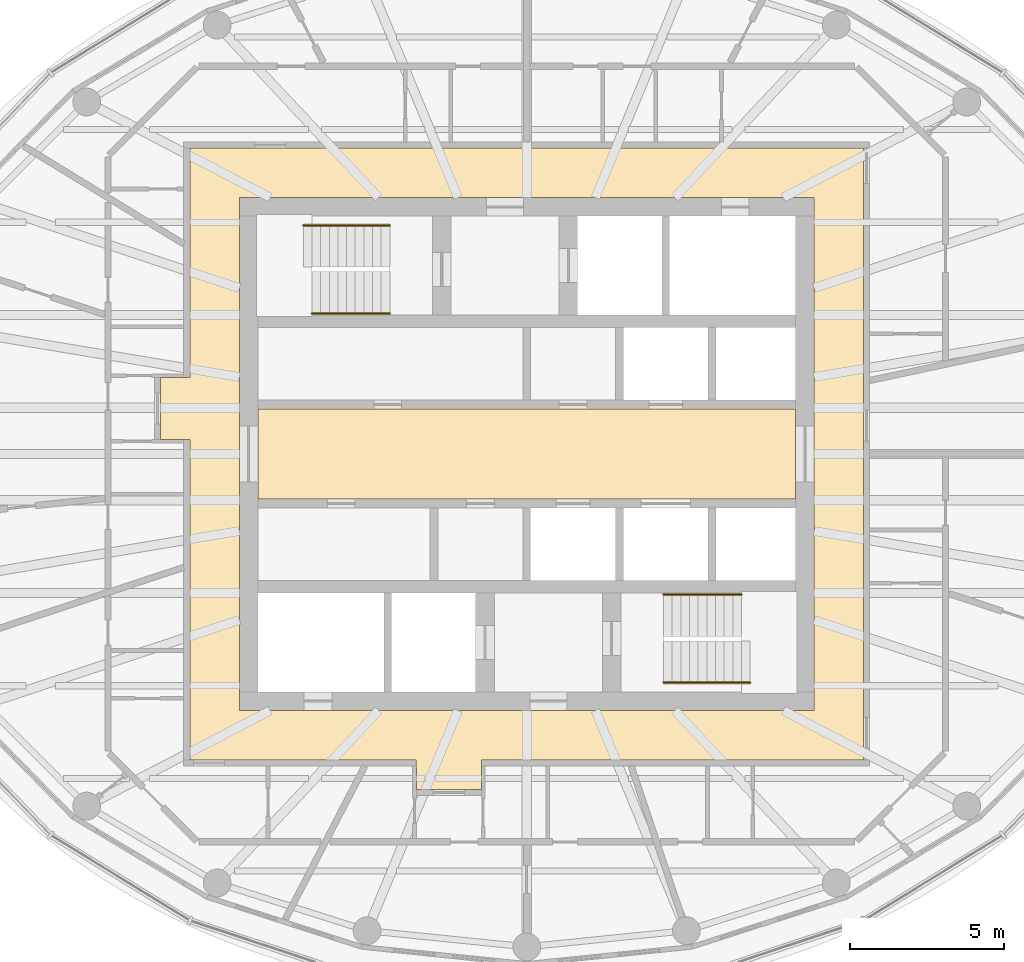
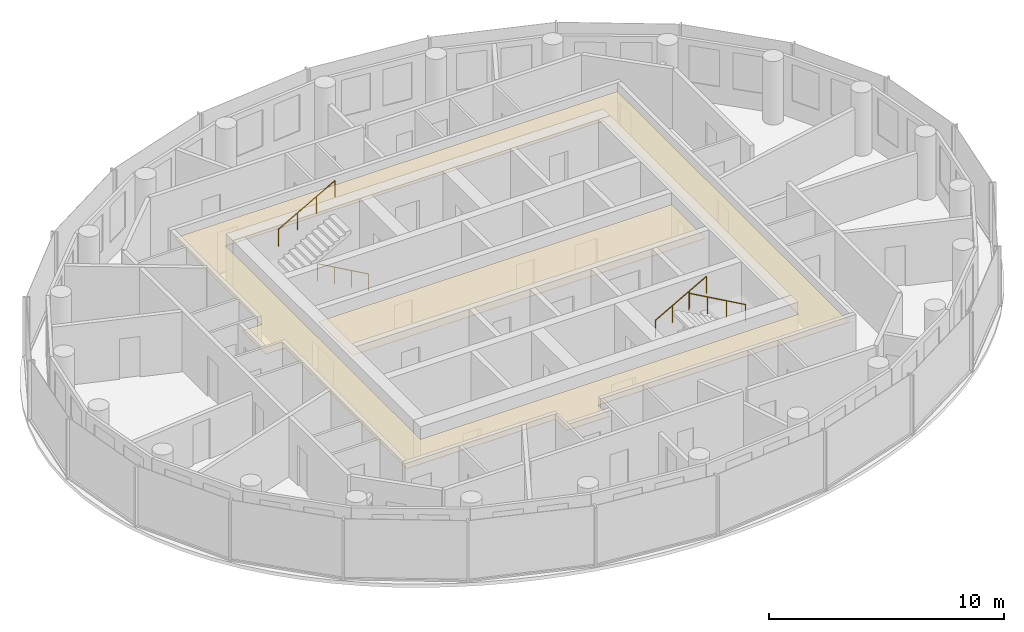
# One storey, part 11 of 11: 4 railings, 2 coverings.
"""IFC4 building model written with IfcOpenShell, lengths in metres."""

from ifc_helpers import new_model, si_unit, direction, frame, origin, origin_2d, place, context, subcontext, project, spatial, polyline, circle, outline, extrude, material, layer, layer_set, type_object, element, save


model = new_model("IFC4")

# Units and contexts
model_context = context("Model", 3, precision=1e-05, world=origin(), true_north=direction((0.0, 1.0)))
body_context = subcontext(model_context, "Body", "Model", "MODEL_VIEW")
ifc_project = project(units=[si_unit("LENGTHUNIT", "METRE"), si_unit("AREAUNIT", "SQUARE_METRE"), si_unit("VOLUMEUNIT", "CUBIC_METRE"), si_unit("PLANEANGLEUNIT", "RADIAN"), si_unit("MASSUNIT", "GRAM", prefix="KILO")], contexts=[model_context])

# Site, building, storey
site_placement = place(None, origin())
site = spatial("IfcSite", under=ifc_project, at=site_placement, CompositionType="ELEMENT")
building_placement = place(site_placement, origin())
building = spatial("IfcBuilding", under=site, at=building_placement, Name="Hankou Lantern Tower", CompositionType="ELEMENT")
storey_placement = place(building_placement, frame((0.0, 0.0, 202.800048828125)))
storey = spatial("IfcBuildingStorey", under=building, at=storey_placement, Name="L54", CompositionType="ELEMENT", Elevation=202.800048828125)

# Coverings
ifc_material_1 = material(Name="Black painted aluminium linear ceiling panels", Category="aluminium")
ifc_layer_1 = layer(ifc_material_1, 0.02490234375)
ifc_layer_set_1 = layer_set([ifc_layer_1], Name="Black painted aluminium linear ceiling panels")
covering_type_1 = type_object("IfcCoveringType", Name="CL1 CORRIDOR CEILING 25", PredefinedType="CEILING", material=ifc_layer_set_1)
covering_1_placement = place(storey_placement, frame((0.0, 0.0, 2.64501953125)))
element("IfcCovering", 1, at=covering_1_placement, inside=storey, type_object=covering_type_1, Name="Corridor ceiling L54", PredefinedType="CEILING", context=body_context, shape_type="SweptSolid", body=[
    extrude(outline(polyline([(-3.56884765625, -10.85009765625), (-1.468994140625, -10.85009765625), (-1.468994140625, -10.1201171875), (-1.458984375, -10.1201171875), (-1.458984375, -9.89794921875), (10.89794921875, -9.89794921875), (10.89794921875, 9.89794921875), (-10.89794921875, 9.89794921875), (-10.89794921875, 2.484375), (-11.1201171875, 2.484375), (-11.1201171875, 2.474365234375), (-11.85009765625, 2.474365234375), (-11.85009765625, 0.474365234375), (-11.1201171875, 0.474365234375), (-11.1201171875, 0.46435546875), (-10.89794921875, 0.46435546875), (-10.89794921875, -9.89794921875), (-3.578857421875, -9.89794921875), (-3.578857421875, -10.1201171875), (-3.56884765625, -10.1201171875), (-3.56884765625, -10.85009765625)]), holes=[polyline([(-9.300048828125, 8.300048828125), (9.300048828125, 8.300048828125), (9.300048828125, -8.300048828125), (-9.300048828125, -8.300048828125), (-9.300048828125, 8.300048828125)])]), origin(), (0.0, 0.0, 1.0), 0.02490234375),
])
ifc_material_2 = material(Name="Perforated black aluminium acoustic tray ceiling", Category="aluminium")
ifc_layer_2 = layer(ifc_material_2, 0.014892578125)
ifc_layer_set_2 = layer_set([ifc_layer_2], Name="Perforated black aluminium acoustic tray ceiling")
covering_type_2 = type_object("IfcCoveringType", Name="CL2 LIFT LOBBY CEILING 15", PredefinedType="CEILING", material=ifc_layer_set_2)
covering_2_placement = place(storey_placement, frame((0.0, 0.0, 2.655029296875)))
element("IfcCovering", 2, at=covering_2_placement, inside=storey, type_object=covering_type_2, Name="Lift lobby ceiling L54", PredefinedType="CEILING", context=body_context, shape_type="SweptSolid", body=[
    extrude(outline(polyline([(-8.699951171875, -1.449951171875), (8.699951171875, -1.449951171875), (8.699951171875, 1.449951171875), (-8.699951171875, 1.449951171875), (-8.699951171875, -1.449951171875)])), origin(), (0.0, 0.0, 1.0), 0.014892578125),
])

# Railings
ifc_material_3 = material(Name="Steel handrail", Category="steel")
railing_type = type_object("IfcRailingType", Name="HR1 STAIR HANDRAIL", PredefinedType="HANDRAIL", material=ifc_material_3)
railing_1_placement = place(storey_placement, frame((-4.429931640625, 4.550048828125, 0.89990234375)))
element("IfcRailing", 3, at=railing_1_placement, inside=storey, type_object=railing_type, Name="Handrail stair STA L54 flight 1", PredefinedType="HANDRAIL", context=body_context, shape_type="SweptSolid", body=[
    extrude(circle(Radius=0.02392578125, at=origin_2d()), frame((0.0, 0.0, 0.8759765625), z_axis=(-0.872048945198, 0.0, 0.489418672692), x_axis=(0.0, -1.0, 0.0)), (0.0, 0.0, 1.0), 2.8896484375),
    extrude(circle(Radius=0.02099609375, at=origin_2d()), origin(), (0.0, 0.0, 1.0), 0.851806640625),
    extrude(circle(Radius=0.02099609375, at=origin_2d()), frame((-0.840087890625, 0.0, 0.471435546875)), (0.0, 0.0, 1.0), 0.851806640625),
    extrude(circle(Radius=0.02099609375, at=origin_2d()), frame((-1.679931640625, 0.0, 0.94287109375)), (0.0, 0.0, 1.0), 0.851806640625),
    extrude(circle(Radius=0.02099609375, at=origin_2d()), frame((-2.52001953125, 0.0, 1.414306640625)), (0.0, 0.0, 1.0), 0.851806640625),
])
railing_2_placement = place(storey_placement, frame((-7.22998046875, 7.39990234375, 2.471435546875)))
element("IfcRailing", 4, at=railing_2_placement, inside=storey, type_object=railing_type, Name="Handrail stair STA L54 flight 2", PredefinedType="HANDRAIL", context=body_context, shape_type="SweptSolid", body=[
    extrude(circle(Radius=0.02392578125, at=origin_2d()), frame((0.0, 0.0, 0.8759765625), z_axis=(0.872072602893, 0.0, 0.489376516891), x_axis=(0.0, 1.0, 0.0)), (0.0, 0.0, 1.0), 3.210693359375),
    extrude(circle(Radius=0.02099609375, at=origin_2d()), origin(), (0.0, 0.0, 1.0), 0.851806640625),
    extrude(circle(Radius=0.02099609375, at=origin_2d()), frame((0.933349609375, 0.0, 0.523681640625)), (0.0, 0.0, 1.0), 0.851806640625),
    extrude(circle(Radius=0.02099609375, at=origin_2d()), frame((1.86669921875, 0.0, 1.047607421875)), (0.0, 0.0, 1.0), 0.851806640625),
    extrude(circle(Radius=0.02099609375, at=origin_2d()), frame((2.800048828125, 0.0, 1.5712890625)), (0.0, 0.0, 1.0), 0.851806640625),
])
railing_3_placement = place(storey_placement, frame((4.429931640625, -4.550048828125, 0.89990234375)))
element("IfcRailing", 5, at=railing_3_placement, inside=storey, type_object=railing_type, Name="Handrail stair STB L54 flight 1", PredefinedType="HANDRAIL", context=body_context, shape_type="SweptSolid", body=[
    extrude(circle(Radius=0.02392578125, at=origin_2d()), frame((0.0, 0.0, 0.8759765625), z_axis=(0.872048945198, 0.0, 0.489418672692), x_axis=(0.0, 1.0, 0.0)), (0.0, 0.0, 1.0), 2.8896484375),
    extrude(circle(Radius=0.02099609375, at=origin_2d()), origin(), (0.0, 0.0, 1.0), 0.851806640625),
    extrude(circle(Radius=0.02099609375, at=origin_2d()), frame((0.840087890625, 0.0, 0.471435546875)), (0.0, 0.0, 1.0), 0.851806640625),
    extrude(circle(Radius=0.02099609375, at=origin_2d()), frame((1.679931640625, 0.0, 0.94287109375)), (0.0, 0.0, 1.0), 0.851806640625),
    extrude(circle(Radius=0.02099609375, at=origin_2d()), frame((2.52001953125, 0.0, 1.414306640625)), (0.0, 0.0, 1.0), 0.851806640625),
])
railing_4_placement = place(storey_placement, frame((7.22998046875, -7.39990234375, 2.471435546875)))
element("IfcRailing", 6, at=railing_4_placement, inside=storey, type_object=railing_type, Name="Handrail stair STB L54 flight 2", PredefinedType="HANDRAIL", context=body_context, shape_type="SweptSolid", body=[
    extrude(circle(Radius=0.02392578125, at=origin_2d()), frame((0.0, 0.0, 0.8759765625), z_axis=(-0.872072602893, 0.0, 0.489376516891), x_axis=(0.0, -1.0, 0.0)), (0.0, 0.0, 1.0), 3.210693359375),
    extrude(circle(Radius=0.02099609375, at=origin_2d()), origin(), (0.0, 0.0, 1.0), 0.851806640625),
    extrude(circle(Radius=0.02099609375, at=origin_2d()), frame((-0.933349609375, 0.0, 0.523681640625)), (0.0, 0.0, 1.0), 0.851806640625),
    extrude(circle(Radius=0.02099609375, at=origin_2d()), frame((-1.86669921875, 0.0, 1.047607421875)), (0.0, 0.0, 1.0), 0.851806640625),
    extrude(circle(Radius=0.02099609375, at=origin_2d()), frame((-2.800048828125, 0.0, 1.5712890625)), (0.0, 0.0, 1.0), 0.851806640625),
])

save(model, "model.ifc")
